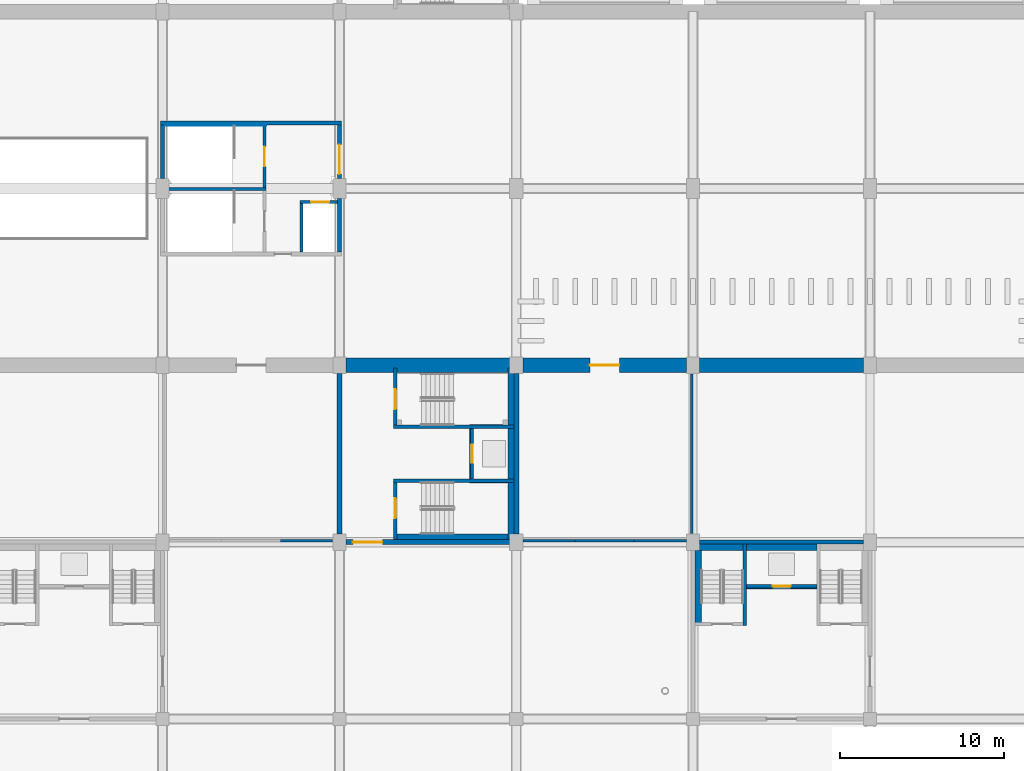
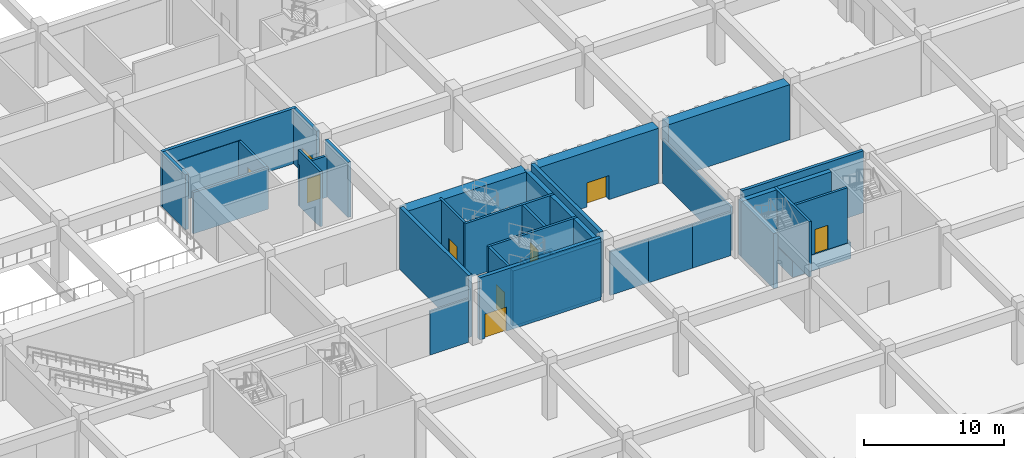
# One storey, part 30 of 101: 37 walls, 9 doors, 9 openings.
"""IFC4 building model written with IfcOpenShell, lengths in metres."""

from ifc_helpers import new_model, si_unit, direction, frame, frame_2d, origin, place, context, subcontext, project, spatial, polyline, rectangle, outline, extrude, material, layer, layer_set, type_object, element, fill, save


model = new_model("IFC4")

# Units and contexts
model_context = context("Model", 3, precision=1e-05, world=origin(), true_north=direction((0.0, 1.0)))
body_context = subcontext(model_context, "Body", "Model", "MODEL_VIEW")
ifc_project = project(units=[si_unit("LENGTHUNIT", "METRE"), si_unit("AREAUNIT", "SQUARE_METRE"), si_unit("VOLUMEUNIT", "CUBIC_METRE"), si_unit("PLANEANGLEUNIT", "RADIAN"), si_unit("MASSUNIT", "GRAM", prefix="KILO")], contexts=[model_context])

# Site, building, storey
site_placement = place(None, origin())
site = spatial("IfcSite", under=ifc_project, at=site_placement, CompositionType="ELEMENT")
building_placement = place(site_placement, origin())
building = spatial("IfcBuilding", under=site, at=building_placement, Name="Magnolia Steps Interchange", CompositionType="ELEMENT")
storey_placement = place(building_placement, frame((0.0, 0.0, -5.39990234375)))
storey = spatial("IfcBuildingStorey", under=building, at=storey_placement, Name="B1", CompositionType="ELEMENT", Elevation=-5.39990234375)

# Wall, opening, door
ifc_material_1 = material(Name="Concrete C35", Category="concrete")
ifc_layer_1 = layer(ifc_material_1, 0.199951171875)
ifc_layer_set_1 = layer_set([ifc_layer_1], Name="Core enclosure wall 200")
wall_type_1 = type_object("IfcWallType", Name="Core enclosure wall 200", PredefinedType="SOLIDWALL", material=ifc_layer_set_1)
wall_1_placement = place(storey_placement, frame((110.60009765625, 53.050048828125, 0.0), z_axis=(0.0, 0.0, 1.0), x_axis=(0.0, -1.0, 0.0)))
wall_1 = element("IfcWall", 1, at=wall_1_placement, inside=storey, type_object=wall_type_1, Name="B1 HC4 enclosure wall", PredefinedType="SOLIDWALL", context=body_context, shape_type="SweptSolid", body=[
    extrude(rectangle(XDim=3.5, YDim=0.199951171875, at=frame_2d((1.75, 0.0))), origin(), (0.0, 0.0, 1.0), 4.7998046875),
])
opening_1_placement = place(wall_1_placement, frame((1.324951171875, 0.0, 0.0)))
opening_1 = element("IfcOpeningElement", 2, at=opening_1_placement, cuts=wall_1, Name="Opening D-HC4-B1-1", PredefinedType="OPENING", context=body_context, shape_type="SweptSolid", body=[
    extrude(rectangle(XDim=1.199951171875, YDim=2.10009765625, at=frame_2d((0.60009765625, 1.050048828125))), frame((0.0, 0.10986328125, 0.0), z_axis=(0.0, -1.0, 0.0), x_axis=(1.0, 0.0, 0.0)), (0.0, 0.0, 1.0), 0.219970703125),
])
ifc_material_2 = material(Name="Painted steel", Category="steel")
door_type_1 = type_object("IfcDoorType", Name="Stair fire door 1200x2100", OperationType="NOTDEFINED", PredefinedType="DOOR", material=ifc_material_2)
door_1_placement = place(opening_1_placement, frame((1.199951171875, 0.0, 0.0), z_axis=(0.0, 0.0, 1.0), x_axis=(-1.0, 0.0, 0.0)))
door_1 = element("IfcDoor", 3, at=door_1_placement, inside=storey, type_object=door_type_1, Name="Stair door ST7 B1", OperationType="SINGLE_SWING_LEFT", OverallHeight=2.10009765625, OverallWidth=1.199951171875, PredefinedType="DOOR", context=body_context, shape_type="SweptSolid", body=[
    extrude(rectangle(XDim=1.199951171875, YDim=2.10009765625, at=frame_2d((0.60009765625, 1.050048828125))), frame((0.0, 0.02490234375, 0.0), z_axis=(0.0, -1.0, 0.0), x_axis=(1.0, 0.0, 0.0)), (0.0, 0.0, 1.0), 0.050048828125),
])
fill(opening_1, door_1)

# Wall
wall_2_placement = place(storey_placement, frame((110.5, 49.449951171875, 0.0), z_axis=(0.0, 0.0, 1.0), x_axis=(1.0, 0.0, 0.0)))
element("IfcWall", 4, at=wall_2_placement, inside=storey, type_object=wall_type_1, Name="B1 HC4 enclosure wall", PredefinedType="SOLIDWALL", context=body_context, shape_type="SweptSolid", body=[
    extrude(rectangle(XDim=7.35009765625, YDim=0.199951171875, at=frame_2d((3.675048828125, 0.0))), origin(), (0.0, 0.0, 1.0), 4.7998046875),
])

# Wall, opening, door
wall_3_placement = place(storey_placement, frame((115.300048828125, 49.35009765625, 0.0), z_axis=(0.0, 0.0, 1.0), x_axis=(0.0, -1.0, 0.0)))
wall_3 = element("IfcWall", 5, at=wall_3_placement, inside=storey, type_object=wall_type_1, Name="B1 HC4 enclosure wall", PredefinedType="SOLIDWALL", context=body_context, shape_type="SweptSolid", body=[
    extrude(rectangle(XDim=3.10009765625, YDim=0.199951171875, at=frame_2d((1.550048828125, 0.0))), origin(), (0.0, 0.0, 1.0), 4.7998046875),
])
opening_2_placement = place(wall_3_placement, frame((1.0, 0.0, 0.0)))
opening_2 = element("IfcOpeningElement", 6, at=opening_2_placement, cuts=wall_3, Name="Opening LD", PredefinedType="OPENING", context=body_context, shape_type="SweptSolid", body=[
    extrude(rectangle(XDim=1.10009765625, YDim=2.10009765625, at=frame_2d((0.550048828125, 1.050048828125))), frame((0.0, 0.10986328125, 0.0), z_axis=(0.0, -1.0, 0.0), x_axis=(1.0, 0.0, 0.0)), (0.0, 0.0, 1.0), 0.219970703125),
])
ifc_material_3 = material(Name="Stainless steel grade 304", Category="steel")
door_type_2 = type_object("IfcDoorType", Name="Lift landing door 1100x2100", OperationType="DOUBLE_DOOR_SLIDING", PredefinedType="DOOR", material=ifc_material_3)
door_2_placement = place(opening_2_placement, frame((1.10009765625, 0.0, 0.0), z_axis=(0.0, 0.0, 1.0), x_axis=(-1.0, 0.0, 0.0)))
door_2 = element("IfcDoor", 7, at=door_2_placement, inside=storey, type_object=door_type_2, Name="Lift landing door LF4 B1", OperationType="DOUBLE_DOOR_SLIDING", OverallHeight=2.10009765625, OverallWidth=1.10009765625, PredefinedType="DOOR", context=body_context, shape_type="SweptSolid", body=[
    extrude(rectangle(XDim=1.10009765625, YDim=2.10009765625, at=frame_2d((0.550048828125, 1.050048828125))), frame((0.0, 0.02490234375, 0.0), z_axis=(0.0, -1.0, 0.0), x_axis=(1.0, 0.0, 0.0)), (0.0, 0.0, 1.0), 0.050048828125),
])
fill(opening_2, door_2)

# Wall
wall_4_placement = place(storey_placement, frame((110.5, 46.14990234375, 0.0), z_axis=(0.0, 0.0, 1.0), x_axis=(1.0, 0.0, 0.0)))
element("IfcWall", 8, at=wall_4_placement, inside=storey, type_object=wall_type_1, Name="B1 HC4 enclosure wall", PredefinedType="SOLIDWALL", context=body_context, shape_type="SweptSolid", body=[
    extrude(rectangle(XDim=7.35009765625, YDim=0.199951171875, at=frame_2d((3.675048828125, 0.0))), origin(), (0.0, 0.0, 1.0), 4.7998046875),
])

# Wall, opening, door
wall_5_placement = place(storey_placement, frame((110.60009765625, 46.050048828125, 0.0), z_axis=(0.0, 0.0, 1.0), x_axis=(0.0, -1.0, 0.0)))
wall_5 = element("IfcWall", 9, at=wall_5_placement, inside=storey, type_object=wall_type_1, Name="B1 HC4 enclosure wall", PredefinedType="SOLIDWALL", context=body_context, shape_type="SweptSolid", body=[
    extrude(rectangle(XDim=3.5, YDim=0.199951171875, at=frame_2d((1.75, 0.0))), origin(), (0.0, 0.0, 1.0), 4.7998046875),
])
opening_3_placement = place(wall_5_placement, frame((0.97509765625, 0.0, 0.0)))
opening_3 = element("IfcOpeningElement", 10, at=opening_3_placement, cuts=wall_5, Name="Opening D-HC4-B1-2", PredefinedType="OPENING", context=body_context, shape_type="SweptSolid", body=[
    extrude(rectangle(XDim=1.199951171875, YDim=2.10009765625, at=frame_2d((0.60009765625, 1.050048828125))), frame((0.0, 0.10986328125, 0.0), z_axis=(0.0, -1.0, 0.0), x_axis=(1.0, 0.0, 0.0)), (0.0, 0.0, 1.0), 0.219970703125),
])
door_3_placement = place(opening_3_placement, frame((1.199951171875, 0.0, 0.0), z_axis=(0.0, 0.0, 1.0), x_axis=(-1.0, 0.0, 0.0)))
door_3 = element("IfcDoor", 11, at=door_3_placement, inside=storey, type_object=door_type_1, Name="Stair door ST8 B1", OperationType="SINGLE_SWING_RIGHT", OverallHeight=2.10009765625, OverallWidth=1.199951171875, PredefinedType="DOOR", context=body_context, shape_type="SweptSolid", body=[
    extrude(rectangle(XDim=1.199951171875, YDim=2.10009765625, at=frame_2d((0.60009765625, 1.050048828125))), frame((0.0, 0.02490234375, 0.0), z_axis=(0.0, -1.0, 0.0), x_axis=(1.0, 0.0, 0.0)), (0.0, 0.0, 1.0), 0.050048828125),
])
fill(opening_3, door_3)

# Wall
wall_6_placement = place(storey_placement, frame((102.72509765625, 63.97509765625, 0.0), z_axis=(0.0, 0.0, 1.0), x_axis=(-1.0, 0.0, 0.0)))
element("IfcWall", 12, at=wall_6_placement, inside=storey, type_object=wall_type_1, Name="B1 PC2 enclosure wall", PredefinedType="SOLIDWALL", context=body_context, shape_type="SweptSolid", body=[
    extrude(rectangle(XDim=6.2001953125, YDim=0.199951171875, at=frame_2d((3.10009765625, 0.0))), origin(), (0.0, 0.0, 1.0), 3.599853515625),
])

# Wall, opening, door
wall_7_placement = place(storey_placement, frame((102.625, 64.074951171875, 0.0), z_axis=(0.0, 0.0, 1.0), x_axis=(0.0, 1.0, 0.0)))
wall_7 = element("IfcWall", 13, at=wall_7_placement, inside=storey, type_object=wall_type_1, Name="B1 PC2 enclosure wall", PredefinedType="SOLIDWALL", context=body_context, shape_type="SweptSolid", body=[
    extrude(rectangle(XDim=3.800048828125, YDim=0.199951171875, at=frame_2d((1.89990234375, 0.0))), origin(), (0.0, 0.0, 1.0), 3.599853515625),
])
opening_4_placement = place(wall_7_placement, frame((1.27490234375, 0.0, 0.0)))
opening_4 = element("IfcOpeningElement", 14, at=opening_4_placement, cuts=wall_7, Name="Opening D-PC2-B1-2", PredefinedType="OPENING", context=body_context, shape_type="SweptSolid", body=[
    extrude(rectangle(XDim=1.199951171875, YDim=2.10009765625, at=frame_2d((0.60009765625, 1.050048828125))), frame((0.0, 0.10986328125, 0.0), z_axis=(0.0, -1.0, 0.0), x_axis=(1.0, 0.0, 0.0)), (0.0, 0.0, 1.0), 0.219970703125),
])
door_4_placement = place(opening_4_placement, frame((1.199951171875, 0.0, 0.0), z_axis=(0.0, 0.0, 1.0), x_axis=(-1.0, 0.0, 0.0)))
door_4 = element("IfcDoor", 15, at=door_4_placement, inside=storey, type_object=door_type_1, Name="Stair door ST12 B1", OperationType="SINGLE_SWING_RIGHT", OverallHeight=2.10009765625, OverallWidth=1.199951171875, PredefinedType="DOOR", context=body_context, shape_type="SweptSolid", body=[
    extrude(rectangle(XDim=1.199951171875, YDim=2.10009765625, at=frame_2d((0.60009765625, 1.050048828125))), frame((0.0, 0.02490234375, 0.0), z_axis=(0.0, -1.0, 0.0), x_axis=(1.0, 0.0, 0.0)), (0.0, 0.0, 1.0), 0.050048828125),
])
fill(opening_4, door_4)

# Wall
wall_8_placement = place(storey_placement, frame((104.875, 60.125, 0.0), z_axis=(0.0, 0.0, 1.0), x_axis=(0.0, 1.0, 0.0)))
element("IfcWall", 16, at=wall_8_placement, inside=storey, type_object=wall_type_1, Name="B1 PC2 enclosure wall", PredefinedType="SOLIDWALL", context=body_context, shape_type="SweptSolid", body=[
    extrude(rectangle(XDim=3.14990234375, YDim=0.199951171875, at=frame_2d((1.574951171875, 0.0))), origin(), (0.0, 0.0, 1.0), 4.7998046875),
])

# Wall, opening, door
wall_9_placement = place(storey_placement, frame((107.074951171875, 63.175048828125, 0.0), z_axis=(0.0, 0.0, 1.0), x_axis=(-1.0, 0.0, 0.0)))
wall_9 = element("IfcWall", 17, at=wall_9_placement, inside=storey, type_object=wall_type_1, Name="B1 PC2 enclosure wall", PredefinedType="SOLIDWALL", context=body_context, shape_type="SweptSolid", body=[
    extrude(rectangle(XDim=2.300048828125, YDim=0.199951171875, at=frame_2d((1.14990234375, 0.0))), origin(), (0.0, 0.0, 1.0), 3.599853515625),
])
opening_5_placement = place(wall_9_placement, frame((0.5, 0.0, 0.0)))
opening_5 = element("IfcOpeningElement", 18, at=opening_5_placement, cuts=wall_9, Name="Opening LD", PredefinedType="OPENING", context=body_context, shape_type="SweptSolid", body=[
    extrude(rectangle(XDim=1.10009765625, YDim=2.10009765625, at=frame_2d((0.550048828125, 1.050048828125))), frame((0.0, 0.10986328125, 0.0), z_axis=(0.0, -1.0, 0.0), x_axis=(1.0, 0.0, 0.0)), (0.0, 0.0, 1.0), 0.219970703125),
])
door_5_placement = place(opening_5_placement, frame((1.10009765625, 0.0, 0.0), z_axis=(0.0, 0.0, 1.0), x_axis=(-1.0, 0.0, 0.0)))
door_5 = element("IfcDoor", 19, at=door_5_placement, inside=storey, type_object=door_type_2, Name="Lift landing door LF6 B1", OperationType="DOUBLE_DOOR_SLIDING", OverallHeight=2.10009765625, OverallWidth=1.10009765625, PredefinedType="DOOR", context=body_context, shape_type="SweptSolid", body=[
    extrude(rectangle(XDim=1.10009765625, YDim=2.10009765625, at=frame_2d((0.550048828125, 1.050048828125))), frame((0.0, 0.02490234375, 0.0), z_axis=(0.0, -1.0, 0.0), x_axis=(1.0, 0.0, 0.0)), (0.0, 0.0, 1.0), 0.050048828125),
])
fill(opening_5, door_5)

# Walls
wall_10_placement = place(storey_placement, frame((102.72509765625, 67.85009765625, 0.0), z_axis=(0.0, 0.0, 1.0), x_axis=(-1.0, 0.0, 0.0)))
element("IfcWall", 20, at=wall_10_placement, inside=storey, type_object=wall_type_1, Name="B1 PC2 enclosure wall", PredefinedType="SOLIDWALL", context=body_context, shape_type="SweptSolid", body=[
    extrude(rectangle(XDim=6.2001953125, YDim=0.050048828125, at=frame_2d((3.10009765625, 0.0))), origin(), (0.0, 0.0, 1.0), 3.599853515625),
])
wall_11_placement = place(storey_placement, frame((131.949951171875, 37.300048828125, 0.0), z_axis=(0.0, 0.0, 1.0), x_axis=(0.0, 1.0, 0.0)))
element("IfcWall", 21, at=wall_11_placement, inside=storey, type_object=wall_type_1, Name="B1 BC3 enclosure wall", PredefinedType="SOLIDWALL", context=body_context, shape_type="SweptSolid", body=[
    extrude(rectangle(XDim=4.974853515625, YDim=0.199951171875, at=frame_2d((2.4873046875, 0.0))), origin(), (0.0, 0.0, 1.0), 4.7998046875),
])

# Wall, opening, door
wall_12_placement = place(storey_placement, frame((132.050048828125, 39.699951171875, 0.0), z_axis=(0.0, 0.0, 1.0), x_axis=(1.0, 0.0, 0.0)))
wall_12 = element("IfcWall", 22, at=wall_12_placement, inside=storey, type_object=wall_type_1, Name="B1 BC3 enclosure wall", PredefinedType="SOLIDWALL", context=body_context, shape_type="SweptSolid", body=[
    extrude(rectangle(XDim=4.300048828125, YDim=0.199951171875, at=frame_2d((2.14990234375, 0.0))), origin(), (0.0, 0.0, 1.0), 4.7998046875),
])
opening_6_placement = place(wall_12_placement, frame((1.60009765625, 0.0, 0.0)))
opening_6 = element("IfcOpeningElement", 23, at=opening_6_placement, cuts=wall_12, Name="Opening LD", PredefinedType="OPENING", context=body_context, shape_type="SweptSolid", body=[
    extrude(rectangle(XDim=1.10009765625, YDim=2.10009765625, at=frame_2d((0.550048828125, 1.050048828125))), frame((0.0, 0.10986328125, 0.0), z_axis=(0.0, -1.0, 0.0), x_axis=(1.0, 0.0, 0.0)), (0.0, 0.0, 1.0), 0.219970703125),
])
door_6_placement = place(opening_6_placement, frame((1.10009765625, 0.0, 0.0), z_axis=(0.0, 0.0, 1.0), x_axis=(-1.0, 0.0, 0.0)))
door_6 = element("IfcDoor", 24, at=door_6_placement, inside=storey, type_object=door_type_2, Name="Lift landing door LF10 B1", OperationType="DOUBLE_DOOR_SLIDING", OverallHeight=2.10009765625, OverallWidth=1.10009765625, PredefinedType="DOOR", context=body_context, shape_type="SweptSolid", body=[
    extrude(rectangle(XDim=1.10009765625, YDim=2.10009765625, at=frame_2d((0.550048828125, 1.050048828125))), frame((0.0, 0.02490234375, 0.0), z_axis=(0.0, -1.0, 0.0), x_axis=(1.0, 0.0, 0.0)), (0.0, 0.0, 1.0), 0.050048828125),
])
fill(opening_6, door_6)

# Walls
ifc_material_4 = material(Name="Concrete C35", Category="concrete")
ifc_layer_2 = layer(ifc_material_4, 0.35009765625)
ifc_layer_set_2 = layer_set([ifc_layer_2], Name="Core lining wall 350")
wall_type_2 = type_object("IfcWallType", Name="Core lining wall 350", PredefinedType="SOLIDWALL", material=ifc_layer_set_2)
wall_13_placement = place(storey_placement, frame((117.675048828125, 53.050048828125, 0.0), z_axis=(0.0, 0.0, 1.0), x_axis=(0.0, -1.0, 0.0)))
element("IfcWall", 25, at=wall_13_placement, inside=storey, type_object=wall_type_2, Name="B1 HC4 stair lining wall", PredefinedType="SOLIDWALL", context=body_context, shape_type="SweptSolid", body=[
    extrude(rectangle(XDim=3.5, YDim=0.35009765625, at=frame_2d((1.75, 0.0))), origin(), (0.0, 0.0, 1.0), 4.7998046875),
])
wall_14_placement = place(storey_placement, frame((110.5, 42.72509765625, 0.0), z_axis=(0.0, 0.0, 1.0), x_axis=(1.0, 0.0, 0.0)))
element("IfcWall", 26, at=wall_14_placement, inside=storey, type_object=wall_type_2, Name="B1 HC4 stair lining wall", PredefinedType="SOLIDWALL", context=body_context, shape_type="SweptSolid", body=[
    extrude(rectangle(XDim=7.35009765625, YDim=0.35009765625, at=frame_2d((3.675048828125, 0.0))), origin(), (0.0, 0.0, 1.0), 4.7998046875),
])
wall_15_placement = place(storey_placement, frame((117.675048828125, 46.050048828125, 0.0), z_axis=(0.0, 0.0, 1.0), x_axis=(0.0, -1.0, 0.0)))
element("IfcWall", 27, at=wall_15_placement, inside=storey, type_object=wall_type_2, Name="B1 HC4 stair lining wall", PredefinedType="SOLIDWALL", context=body_context, shape_type="SweptSolid", body=[
    extrude(rectangle(XDim=3.5, YDim=0.35009765625, at=frame_2d((1.75, 0.0))), origin(), (0.0, 0.0, 1.0), 4.7998046875),
])
wall_16_placement = place(storey_placement, frame((117.675048828125, 49.35009765625, 0.0), z_axis=(0.0, 0.0, 1.0), x_axis=(0.0, -1.0, 0.0)))
element("IfcWall", 28, at=wall_16_placement, inside=storey, type_object=wall_type_2, Name="B1 HC4 stair lining wall", PredefinedType="SOLIDWALL", context=body_context, shape_type="SweptSolid", body=[
    extrude(rectangle(XDim=3.10009765625, YDim=0.35009765625, at=frame_2d((1.550048828125, 0.0))), origin(), (0.0, 0.0, 1.0), 4.7998046875),
])
ifc_material_5 = material(Name="Concrete C35", Category="concrete")
ifc_layer_3 = layer(ifc_material_5, 0.375)
ifc_layer_set_3 = layer_set([ifc_layer_3], Name="Core lining wall 375")
wall_type_3 = type_object("IfcWallType", Name="Core lining wall 375", PredefinedType="SOLIDWALL", material=ifc_layer_set_3)
wall_17_placement = place(storey_placement, frame((129.112548828125, 37.300048828125, 0.0), z_axis=(0.0, 0.0, 1.0), x_axis=(0.0, 1.0, 0.0)))
element("IfcWall", 29, at=wall_17_placement, inside=storey, type_object=wall_type_3, Name="B1 BC3 stair lining wall", PredefinedType="SOLIDWALL", context=body_context, shape_type="SweptSolid", body=[
    extrude(rectangle(XDim=4.974853515625, YDim=0.375, at=frame_2d((2.4873046875, 0.0))), origin(), (0.0, 0.0, 1.0), 4.7998046875),
])
wall_18_placement = place(storey_placement, frame((128.925048828125, 42.08740234375, 0.0), z_axis=(0.0, 0.0, 1.0), x_axis=(1.0, 0.0, 0.0)))
element("IfcWall", 30, at=wall_18_placement, inside=storey, type_object=wall_type_3, Name="B1 BC3 stair lining wall", PredefinedType="SOLIDWALL", context=body_context, shape_type="SweptSolid", body=[
    extrude(rectangle(XDim=2.925048828125, YDim=0.375, at=frame_2d((1.46240234375, 0.0))), origin(), (0.0, 0.0, 1.0), 4.7998046875),
])
wall_19_placement = place(storey_placement, frame((132.050048828125, 42.08740234375, 0.0), z_axis=(0.0, 0.0, 1.0), x_axis=(1.0, 0.0, 0.0)))
element("IfcWall", 31, at=wall_19_placement, inside=storey, type_object=wall_type_3, Name="B1 BC3 stair lining wall", PredefinedType="SOLIDWALL", context=body_context, shape_type="SweptSolid", body=[
    extrude(rectangle(XDim=4.300048828125, YDim=0.375, at=frame_2d((2.14990234375, 0.0))), origin(), (0.0, 0.0, 1.0), 4.7998046875),
])
ifc_material_6 = material(Name="Concrete C40", Category="concrete")
ifc_layer_4 = layer(ifc_material_6, 0.25)
ifc_layer_set_4 = layer_set([ifc_layer_4], Name="Core wall 250")
wall_type_4 = type_object("IfcWallType", Name="Core wall 250", PredefinedType="SOLIDWALL", material=ifc_layer_set_4)
wall_20_placement = place(storey_placement, frame((107.199951171875, 60.125, 0.0), z_axis=(0.0, 0.0, 1.0), x_axis=(0.0, 1.0, 0.0)))
element("IfcWall", 32, at=wall_20_placement, inside=storey, type_object=wall_type_4, Name="Core wall PC2", PredefinedType="SOLIDWALL", context=body_context, shape_type="SweptSolid", body=[
    extrude(rectangle(XDim=3.27490234375, YDim=0.25, at=frame_2d((1.637451171875, 0.0))), origin(), (0.0, 0.0, 1.0), 4.7998046875),
])

# Wall, opening, door
wall_21_placement = place(storey_placement, frame((107.199951171875, 64.60009765625, 0.0), z_axis=(0.0, 0.0, 1.0), x_axis=(0.0, 1.0, 0.0)))
wall_21 = element("IfcWall", 33, at=wall_21_placement, inside=storey, type_object=wall_type_4, Name="Core wall PC2", PredefinedType="SOLIDWALL", context=body_context, shape_type="SweptSolid", body=[
    extrude(rectangle(XDim=3.27490234375, YDim=0.25, at=frame_2d((1.637451171875, 0.0))), origin(), (0.0, 0.0, 1.0), 4.7998046875),
])
opening_7_placement = place(wall_21_placement, frame((0.27490234375, 0.0, 0.0)))
opening_7 = element("IfcOpeningElement", 34, at=opening_7_placement, cuts=wall_21, Name="Opening D-PC2-B1-3", PredefinedType="OPENING", context=body_context, shape_type="SweptSolid", body=[
    extrude(rectangle(XDim=1.800048828125, YDim=2.10009765625, at=frame_2d((0.89990234375, 1.050048828125))), frame((0.0, 0.135009765625, 0.0), z_axis=(0.0, -1.0, 0.0), x_axis=(1.0, 0.0, 0.0)), (0.0, 0.0, 1.0), 0.27001953125),
])
ifc_material_7 = material(Name="Timber and glass", Category="wood")
door_type_3 = type_object("IfcDoorType", Name="Core entrance door pair 1800x2100", OperationType="DOUBLE_DOOR_DOUBLE_SWING", PredefinedType="DOOR", material=ifc_material_7)
door_7_placement = place(opening_7_placement, frame((1.800048828125, 0.0, 0.0), z_axis=(0.0, 0.0, 1.0), x_axis=(-1.0, 0.0, 0.0)))
door_7 = element("IfcDoor", 35, at=door_7_placement, inside=storey, type_object=door_type_3, Name="Core entrance door PC2 B1", OperationType="DOUBLE_DOOR_DOUBLE_SWING", OverallHeight=2.10009765625, OverallWidth=1.800048828125, PredefinedType="DOOR", context=body_context, shape_type="SweptSolid", body=[
    extrude(rectangle(XDim=1.800048828125, YDim=2.10009765625, at=frame_2d((0.89990234375, 1.050048828125))), frame((0.0, 0.02490234375, 0.0), z_axis=(0.0, -1.0, 0.0), x_axis=(1.0, 0.0, 0.0)), (0.0, 0.0, 1.0), 0.050048828125),
])
fill(opening_7, door_7)

# Walls
wall_22_placement = place(storey_placement, frame((107.324951171875, 68.0, 0.0), z_axis=(0.0, 0.0, 1.0), x_axis=(-1.0, 0.0, 0.0)))
element("IfcWall", 36, at=wall_22_placement, inside=storey, type_object=wall_type_4, Name="Core wall PC2", PredefinedType="SOLIDWALL", context=body_context, shape_type="SweptSolid", body=[
    extrude(rectangle(XDim=11.050048828125, YDim=0.25, at=frame_2d((5.52490234375, 0.0))), origin(), (0.0, 0.0, 1.0), 4.7998046875),
])
wall_23_placement = place(storey_placement, frame((96.39990234375, 67.875, 0.0), z_axis=(0.0, 0.0, 1.0), x_axis=(0.0, -1.0, 0.0)))
element("IfcWall", 37, at=wall_23_placement, inside=storey, type_object=wall_type_4, Name="Core wall PC2", PredefinedType="SOLIDWALL", context=body_context, shape_type="SweptSolid", body=[
    extrude(rectangle(XDim=3.27490234375, YDim=0.25, at=frame_2d((1.637451171875, 0.0))), origin(), (0.0, 0.0, 1.0), 4.7998046875),
])
wall_24_placement = place(storey_placement, frame((139.199951171875, 42.39990234375, 0.0), z_axis=(0.0, 0.0, 1.0), x_axis=(-1.0, 0.0, 0.0)))
element("IfcWall", 38, at=wall_24_placement, inside=storey, type_object=wall_type_4, Name="Core wall BC3", PredefinedType="SOLIDWALL", context=body_context, shape_type="SweptSolid", body=[
    extrude(rectangle(XDim=10.0, YDim=0.25, at=frame_2d((5.0, 0.0))), origin(), (0.0, 0.0, 1.0), 5.39990234375),
])

# Wall, opening, door
ifc_material_8 = material(Name="Concrete C40", Category="concrete")
ifc_layer_5 = layer(ifc_material_8, 0.300048828125)
ifc_layer_set_5 = layer_set([ifc_layer_5], Name="Core wall 300")
wall_type_5 = type_object("IfcWallType", Name="Core wall 300", PredefinedType="SOLIDWALL", material=ifc_layer_set_5)
wall_25_placement = place(storey_placement, frame((107.60009765625, 42.39990234375, 0.0), z_axis=(0.0, 0.0, 1.0), x_axis=(1.0, 0.0, 0.0)))
wall_25 = element("IfcWall", 39, at=wall_25_placement, inside=storey, type_object=wall_type_5, Name="Core wall HC4", PredefinedType="SOLIDWALL", context=body_context, shape_type="SweptSolid", body=[
    extrude(rectangle(XDim=10.0, YDim=0.300048828125, at=frame_2d((5.0, 0.0))), origin(), (0.0, 0.0, 1.0), 5.39990234375),
])
opening_8_placement = place(wall_25_placement, frame((0.425048828125, 0.0, 0.0)))
opening_8 = element("IfcOpeningElement", 40, at=opening_8_placement, cuts=wall_25, Name="Opening D-HC4-B1-3", PredefinedType="OPENING", context=body_context, shape_type="SweptSolid", body=[
    extrude(rectangle(XDim=1.800048828125, YDim=2.10009765625, at=frame_2d((0.89990234375, 1.050048828125))), frame((0.0, 0.159912109375, 0.0), z_axis=(0.0, -1.0, 0.0), x_axis=(1.0, 0.0, 0.0)), (0.0, 0.0, 1.0), 0.320068359375),
])
door_8_placement = place(opening_8_placement, frame((1.800048828125, 0.0, 0.0), z_axis=(0.0, 0.0, 1.0), x_axis=(-1.0, 0.0, 0.0)))
door_8 = element("IfcDoor", 41, at=door_8_placement, inside=storey, type_object=door_type_3, Name="Core entrance door HC4 B1", OperationType="DOUBLE_DOOR_DOUBLE_SWING", OverallHeight=2.10009765625, OverallWidth=1.800048828125, PredefinedType="DOOR", context=body_context, shape_type="SweptSolid", body=[
    extrude(rectangle(XDim=1.800048828125, YDim=2.10009765625, at=frame_2d((0.89990234375, 1.050048828125))), frame((0.0, 0.02490234375, 0.0), z_axis=(0.0, -1.0, 0.0), x_axis=(1.0, 0.0, 0.0)), (0.0, 0.0, 1.0), 0.050048828125),
])
fill(opening_8, door_8)

# Walls
for number, where, z_axis, x_axis, name in (
    (42, (118.0, 42.89990234375, 0.0), (0.0, 0.0, 1.0), (0.0, 1.0, 0.0), "Core wall HC4"),
    (43, (107.199951171875, 52.699951171875, 0.0), (0.0, 0.0, 1.0), (0.0, -1.0, 0.0), "Core wall HC4"),
):
    element("IfcWall", number, at=place(storey_placement, frame(where, z_axis=z_axis, x_axis=x_axis)), inside=storey, type_object=wall_type_5, Name=name, PredefinedType="SOLIDWALL", context=body_context, shape_type="SweptSolid", body=[
        extrude(rectangle(XDim=9.800048828125, YDim=0.300048828125, at=frame_2d((4.89990234375, 0.0))), origin(), (0.0, 0.0, 1.0), 5.39990234375),
    ])
ifc_material_9 = material(Name="Concrete C40", Category="concrete")
ifc_layer_6 = layer(ifc_material_9, 0.89990234375)
ifc_layer_set_6 = layer_set([ifc_layer_6], Name="Diaphragm wall 900")
wall_type_6 = type_object("IfcWallType", Name="Diaphragm wall 900", PredefinedType="SOLIDWALL", material=ifc_layer_set_6)
wall_26_placement = place(storey_placement, frame((107.60009765625, 53.199951171875, 0.0), z_axis=(0.0, 0.0, 1.0), x_axis=(1.0, 0.0, 0.0)))
element("IfcWall", 44, at=wall_26_placement, inside=storey, type_object=wall_type_6, Name="Metro box wall S", PredefinedType="SOLIDWALL", context=body_context, shape_type="SweptSolid", body=[
    extrude(rectangle(XDim=10.0, YDim=0.89990234375, at=frame_2d((5.0, 0.0))), origin(), (0.0, 0.0, 1.0), 4.7998046875),
])

# Wall, opening, door
wall_27_placement = place(storey_placement, frame((118.39990234375, 53.199951171875, 0.0), z_axis=(0.0, 0.0, 1.0), x_axis=(1.0, 0.0, 0.0)))
wall_27 = element("IfcWall", 45, at=wall_27_placement, inside=storey, type_object=wall_type_6, Name="Metro box wall S", PredefinedType="SOLIDWALL", context=body_context, shape_type="SweptSolid", body=[
    extrude(rectangle(XDim=10.0, YDim=0.89990234375, at=frame_2d((5.0, 0.0))), origin(), (0.0, 0.0, 1.0), 4.7998046875),
])
opening_9_placement = place(wall_27_placement, frame((4.10009765625, 0.0, 0.0)))
opening_9 = element("IfcOpeningElement", 46, at=opening_9_placement, cuts=wall_27, Name="Opening D-B1-18", PredefinedType="OPENING", context=body_context, shape_type="SweptSolid", body=[
    extrude(rectangle(XDim=1.800048828125, YDim=2.10009765625, at=frame_2d((0.89990234375, 1.050048828125))), frame((0.0, 0.4599609375, 0.0), z_axis=(0.0, -1.0, 0.0), x_axis=(1.0, 0.0, 0.0)), (0.0, 0.0, 1.0), 0.919921875),
])
ifc_material_10 = material(Name="Timber", Category="wood")
door_type_4 = type_object("IfcDoorType", Name="Room door pair 1800x2100", OperationType="DOUBLE_DOOR_DOUBLE_SWING", PredefinedType="DOOR", material=ifc_material_10)
door_9_placement = place(opening_9_placement, frame((1.800048828125, 0.0, 0.0), z_axis=(0.0, 0.0, 1.0), x_axis=(-1.0, 0.0, 0.0)))
door_9 = element("IfcDoor", 47, at=door_9_placement, inside=storey, type_object=door_type_4, Name="Retail Kiosk 2 door", OperationType="DOUBLE_DOOR_DOUBLE_SWING", OverallHeight=2.10009765625, OverallWidth=1.800048828125, PredefinedType="DOOR", context=body_context, shape_type="SweptSolid", body=[
    extrude(rectangle(XDim=1.800048828125, YDim=2.10009765625, at=frame_2d((0.89990234375, 1.050048828125))), frame((0.0, 0.02490234375, 0.0), z_axis=(0.0, -1.0, 0.0), x_axis=(1.0, 0.0, 0.0)), (0.0, 0.0, 1.0), 0.050048828125),
])
fill(opening_9, door_9)

# Walls
wall_28_placement = place(storey_placement, frame((129.199951171875, 53.199951171875, 0.0), z_axis=(0.0, 0.0, 1.0), x_axis=(1.0, 0.0, 0.0)))
element("IfcWall", 48, at=wall_28_placement, inside=storey, type_object=wall_type_6, Name="Metro box wall S", PredefinedType="SOLIDWALL", context=body_context, shape_type="SweptSolid", body=[
    extrude(rectangle(XDim=10.0, YDim=0.89990234375, at=frame_2d((5.0, 0.0))), origin(), (0.0, 0.0, 1.0), 4.7998046875),
])
ifc_material_11 = material(Name="Concrete C40", Category="concrete")
ifc_layer_7 = layer(ifc_material_11, 0.25)
ifc_layer_set_7 = layer_set([ifc_layer_7], Name="Lift pit wall 250")
wall_type_7 = type_object("IfcWallType", Name="Lift pit wall 250", PredefinedType="SOLIDWALL", material=ifc_layer_set_7)
wall_29_placement = place(storey_placement, frame((0.0, 0.0, -1.400146484375)))
element("IfcWall", 49, at=wall_29_placement, inside=storey, type_object=wall_type_7, Name="Lift pit wall BC3", PredefinedType="SOLIDWALL", context=body_context, shape_type="SweptSolid", body=[
    extrude(outline(polyline([(131.800048828125, 39.550048828125), (136.60009765625, 39.550048828125), (136.60009765625, 42.14990234375), (131.800048828125, 42.14990234375), (131.800048828125, 39.550048828125)]), holes=[polyline([(136.35009765625, 39.800048828125), (136.35009765625, 41.89990234375), (132.050048828125, 41.89990234375), (132.050048828125, 39.800048828125), (136.35009765625, 39.800048828125)])]), origin(), (0.0, 0.0, 1.0), 1.400146484375),
])
wall_30_placement = place(storey_placement, frame((0.0, 0.0, -1.400146484375)))
element("IfcWall", 50, at=wall_30_placement, inside=storey, type_object=wall_type_7, Name="Lift pit wall HC4", PredefinedType="SOLIDWALL", context=body_context, shape_type="SweptSolid", body=[
    extrude(outline(polyline([(115.14990234375, 49.60009765625), (115.14990234375, 46.0), (117.75, 46.0), (117.75, 49.60009765625), (115.14990234375, 49.60009765625)]), holes=[polyline([(115.39990234375, 46.25), (117.5, 46.25), (117.5, 49.35009765625), (115.39990234375, 49.35009765625), (115.39990234375, 46.25)])]), origin(), (0.0, 0.0, 1.0), 1.400146484375),
])
ifc_material_12 = material(Name="Fair-faced blockwork", Category="masonry")
ifc_layer_8 = layer(ifc_material_12, 0.14990234375)
ifc_layer_set_8 = layer_set([ifc_layer_8], Name="Partition wall 150")
wall_type_8 = type_object("IfcWallType", Name="Partition wall 150", PredefinedType="PARTITIONING", material=ifc_layer_set_8)
for number, where, z_axis, x_axis, name in (
    (51, (103.60009765625, 42.47509765625, 0.0), (0.0, 0.0, 1.0), (1.0, 0.0, 0.0), "B1 partition 37"),
    (52, (125.199951171875, 42.47509765625, 0.0), (0.0, 0.0, 1.0), (1.0, 0.0, 0.0), "B1 partition 40"),
):
    element("IfcWall", number, at=place(storey_placement, frame(where, z_axis=z_axis, x_axis=x_axis)), inside=storey, type_object=wall_type_8, Name=name, PredefinedType="PARTITIONING", context=body_context, shape_type="SweptSolid", body=[
        extrude(rectangle(XDim=3.179931640625, YDim=0.14990234375, at=frame_2d((1.58984375, 0.0))), origin(), (0.0, 0.0, 1.0), 3.7998046875),
    ])
wall_31_placement = place(storey_placement, frame((121.60009765625, 42.47509765625, 0.0), z_axis=(0.0, 0.0, 1.0), x_axis=(1.0, 0.0, 0.0)))
element("IfcWall", 53, at=wall_31_placement, inside=storey, type_object=wall_type_8, Name="B1 partition 41", PredefinedType="PARTITIONING", context=body_context, shape_type="SweptSolid", body=[
    extrude(rectangle(XDim=3.599853515625, YDim=0.14990234375, at=frame_2d((1.7998046875, 0.0))), origin(), (0.0, 0.0, 1.0), 3.7998046875),
])
wall_32_placement = place(storey_placement, frame((118.419921875, 42.47509765625, 0.0), z_axis=(0.0, 0.0, 1.0), x_axis=(1.0, 0.0, 0.0)))
element("IfcWall", 54, at=wall_32_placement, inside=storey, type_object=wall_type_8, Name="B1 partition 42", PredefinedType="PARTITIONING", context=body_context, shape_type="SweptSolid", body=[
    extrude(rectangle(XDim=3.18017578125, YDim=0.14990234375, at=frame_2d((1.590087890625, 0.0))), origin(), (0.0, 0.0, 1.0), 3.7998046875),
])
wall_33_placement = place(storey_placement, frame((128.72509765625, 42.919921875, 0.0), z_axis=(0.0, 0.0, 1.0), x_axis=(0.0, 1.0, 0.0)))
element("IfcWall", 55, at=wall_33_placement, inside=storey, type_object=wall_type_8, Name="B1 partition 43", PredefinedType="PARTITIONING", context=body_context, shape_type="SweptSolid", body=[
    extrude(rectangle(XDim=9.760009765625, YDim=0.14990234375, at=frame_2d((4.8798828125, 0.0))), origin(), (0.0, 0.0, 1.0), 3.7998046875),
])

save(model, "model.ifc")
